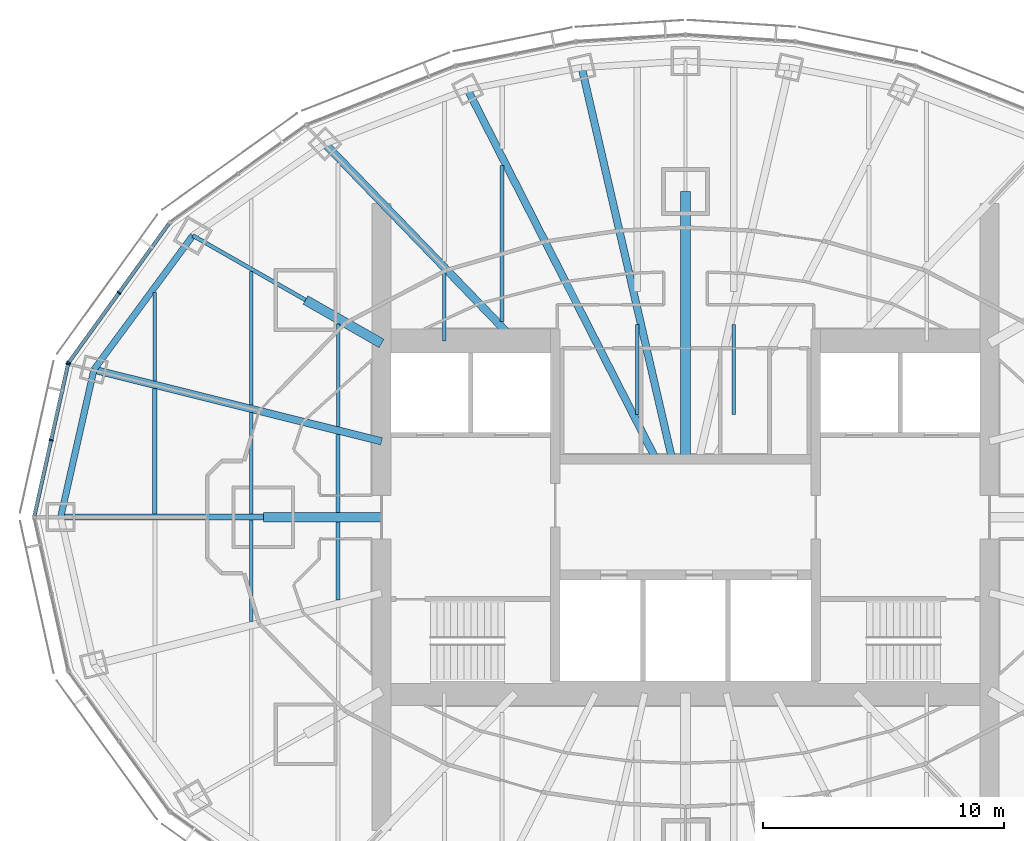
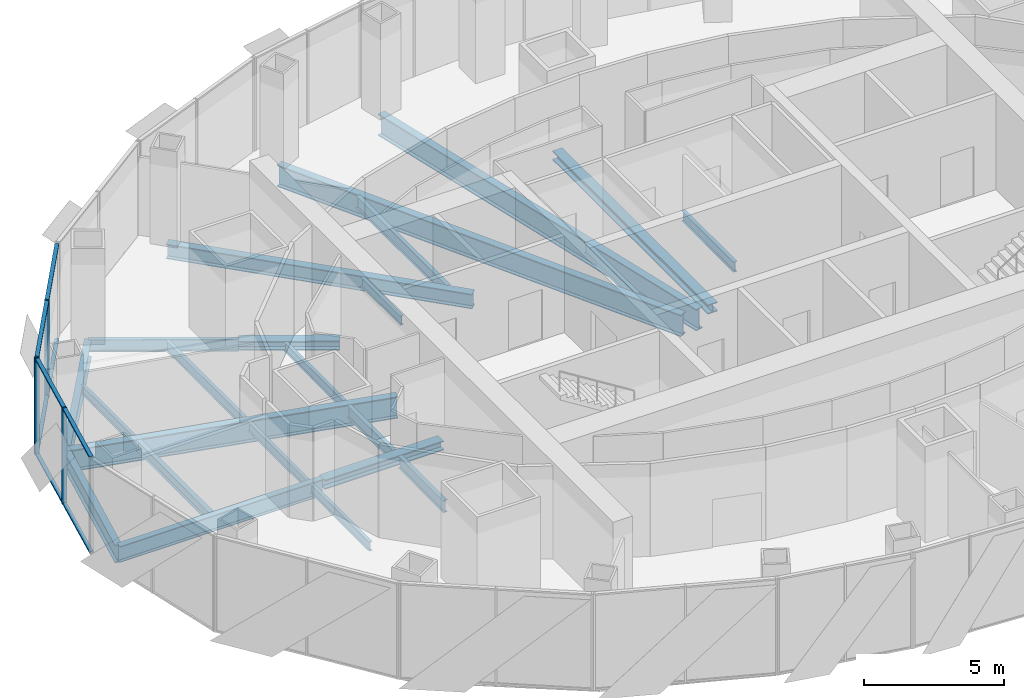
# One storey, part 4 of 17: 23 beams, 12 members, 2 elements without a shape of their own.
"""IFC4 building model written with IfcOpenShell, lengths in metres."""

from ifc_helpers import new_model, si_unit, direction, frame, origin, origin_2d, place, context, subcontext, project, spatial, rectangle, i_section, extrude, material, material_profile, profile_set, type_object, element, aggregate, save


model = new_model("IFC4")

# Units and contexts
model_context = context("Model", 3, precision=1e-05, world=origin(), true_north=direction((0.0, 1.0)))
body_context = subcontext(model_context, "Body", "Model", "MODEL_VIEW")
ifc_project = project(units=[si_unit("LENGTHUNIT", "METRE"), si_unit("AREAUNIT", "SQUARE_METRE"), si_unit("VOLUMEUNIT", "CUBIC_METRE"), si_unit("PLANEANGLEUNIT", "RADIAN"), si_unit("MASSUNIT", "GRAM", prefix="KILO")], contexts=[model_context])

# Site, building, storey
site_placement = place(None, origin())
site = spatial("IfcSite", under=ifc_project, at=site_placement, CompositionType="ELEMENT")
building_placement = place(site_placement, origin())
building = spatial("IfcBuilding", under=site, at=building_placement, Name="Lantaw Convention Tower", CompositionType="ELEMENT")
storey_placement = place(building_placement, frame((0.0, 0.0, 220.0)))
storey = spatial("IfcBuildingStorey", under=building, at=storey_placement, Name="L51", CompositionType="ELEMENT", Elevation=220.0)

# Beams
ifc_material_1 = material(Name="Steel ASTM A992", Category="steel")
ifc_material_profile_1 = material_profile(ifc_material_1, i_section(OverallWidth=0.2666015625, OverallDepth=0.76953125, WebThickness=0.015625, FlangeThickness=0.025390625, FilletRadius=0.0126953125, at=origin_2d()), Name="W30X132")
ifc_profile_set_1 = profile_set([ifc_material_profile_1], Name="Steel ASTM A992")
beam_type_1 = type_object("IfcBeamType", Name="Beam E W30X132", PredefinedType="SPANDREL", material=ifc_profile_set_1)
beam_1_placement = place(storey_placement, frame((-20.423095703125, 11.67041015625, -0.534912109375), z_axis=(-0.593639188853, -0.804731329984, 0.0), x_axis=(0.804731329984, -0.593639188853, 0.0)))
element("IfcBeam", 1, at=beam_1_placement, inside=storey, type_object=beam_type_1, Name="Edge beam 11", PredefinedType="SPANDREL", context=body_context, shape_type="SweptSolid", body=[
    extrude(i_section(OverallWidth=0.2666015625, OverallDepth=0.76953125, WebThickness=0.015625, FlangeThickness=0.025390625, FilletRadius=0.0126953125, at=origin_2d()), origin(), (0.0, 0.0, 1.0), 6.904541015625),
])
beam_2_placement = place(storey_placement, frame((-24.52197265625, 6.114013671875, -0.534912109375), z_axis=(-0.219857926596, -0.97553190215, 0.0), x_axis=(0.97553190215, -0.219857926596, 0.0)))
element("IfcBeam", 2, at=beam_2_placement, inside=storey, type_object=beam_type_1, Name="Edge beam 12", PredefinedType="SPANDREL", context=body_context, shape_type="SweptSolid", body=[
    extrude(i_section(OverallWidth=0.2666015625, OverallDepth=0.76953125, WebThickness=0.015625, FlangeThickness=0.025390625, FilletRadius=0.0126953125, at=origin_2d()), origin(), (0.0, 0.0, 1.0), 6.267333984375),
])
ifc_material_profile_2 = material_profile(ifc_material_1, i_section(OverallWidth=0.1650390625, OverallDepth=0.52587890625, WebThickness=0.0087890625, FlangeThickness=0.011474609375, FilletRadius=0.0126953125, at=origin_2d()), Name="W21X44")
ifc_profile_set_2 = profile_set([ifc_material_profile_2], Name="Steel ASTM A992")
beam_type_2 = type_object("IfcBeamType", Name="Beam G W21X44", PredefinedType="BEAM", material=ifc_profile_set_2)
beam_3_placement = place(storey_placement, frame((-15.75, 9.0, -0.412841796875), z_axis=(-0.868237559289, 0.496148708192, 0.0), x_axis=(-0.496148708192, -0.868237559289, 0.0)))
element("IfcBeam", 3, at=beam_3_placement, inside=storey, type_object=beam_type_2, Name="Floor girder on ray 11", PredefinedType="BEAM", context=body_context, shape_type="SweptSolid", body=[
    extrude(i_section(OverallWidth=0.1650390625, OverallDepth=0.52587890625, WebThickness=0.0087890625, FlangeThickness=0.011474609375, FilletRadius=0.0126953125, at=origin_2d()), origin(), (0.0, 0.0, 1.0), 5.38232421875),
])
ifc_material_profile_3 = material_profile(ifc_material_1, i_section(OverallWidth=0.32763671875, OverallDepth=0.64013671875, WebThickness=0.01904296875, FlangeThickness=0.033935546875, FilletRadius=0.0126953125, at=origin_2d()), Name="W24X176")
ifc_profile_set_3 = profile_set([ifc_material_profile_3], Name="Steel ASTM A992")
beam_type_3 = type_object("IfcBeamType", Name="Beam G W24X176", PredefinedType="BEAM", material=ifc_profile_set_3)
beam_4_placement = place(storey_placement, frame((-7.049560546875, 7.300048828125, -0.469970703125), z_axis=(-0.694657766726, 0.719340383356, 0.0), x_axis=(-0.719340383356, -0.694657766726, 0.0)))
element("IfcBeam", 4, at=beam_4_placement, inside=storey, type_object=beam_type_3, Name="Floor girder on ray 10", PredefinedType="BEAM", context=body_context, shape_type="SweptSolid", body=[
    extrude(i_section(OverallWidth=0.32763671875, OverallDepth=0.64013671875, WebThickness=0.01904296875, FlangeThickness=0.033935546875, FilletRadius=0.0126953125, at=origin_2d()), origin(), (0.0, 0.0, 1.0), 11.364990234375),
])
ifc_material_profile_4 = material_profile(ifc_material_1, i_section(OverallWidth=0.25390625, OverallDepth=0.700927734375, WebThickness=0.015380859375, FlangeThickness=0.02783203125, FilletRadius=0.01513671875, at=origin_2d()), Name="W27X129")
ifc_profile_set_4 = profile_set([ifc_material_profile_4], Name="Steel ASTM A992")
beam_type_4 = type_object("IfcBeamType", Name="Beam G W27X129", PredefinedType="BEAM", material=ifc_profile_set_4)
beam_5_placement = place(storey_placement, frame((-17.5, 0.0, -0.50048828125), z_axis=(-1.0, 0.0, 0.0), x_axis=(0.0, -1.0, 0.0)))
element("IfcBeam", 5, at=beam_5_placement, inside=storey, type_object=beam_type_4, Name="Floor girder on ray 13", PredefinedType="BEAM", context=body_context, shape_type="SweptSolid", body=[
    extrude(i_section(OverallWidth=0.25390625, OverallDepth=0.700927734375, WebThickness=0.015380859375, FlangeThickness=0.02783203125, FilletRadius=0.01513671875, at=origin_2d()), origin(), (0.0, 0.0, 1.0), 8.39990234375),
])
ifc_material_profile_5 = material_profile(ifc_material_1, i_section(OverallWidth=0.307373046875, OverallDepth=0.9423828125, WebThickness=0.022216796875, FlangeThickness=0.039794921875, FilletRadius=0.0126953125, at=origin_2d()), Name="W36X232")
ifc_profile_set_5 = profile_set([ifc_material_profile_5], Name="Steel ASTM A992")
beam_type_5 = type_object("IfcBeamType", Name="Beam G W36X232", PredefinedType="BEAM", material=ifc_profile_set_5)
beam_6_placement = place(storey_placement, frame((-0.55419921875, 2.39990234375, -0.62109375), z_axis=(-0.224948287002, 0.974370703672, 0.0), x_axis=(-0.974370703672, -0.224948287002, 0.0)))
element("IfcBeam", 6, at=beam_6_placement, inside=storey, type_object=beam_type_5, Name="Floor girder on ray 8", PredefinedType="BEAM", context=body_context, shape_type="SweptSolid", body=[
    extrude(i_section(OverallWidth=0.307373046875, OverallDepth=0.9423828125, WebThickness=0.022216796875, FlangeThickness=0.039794921875, FilletRadius=0.0126953125, at=origin_2d()), origin(), (0.0, 0.0, 1.0), 16.66943359375),
])
beam_7_placement = place(storey_placement, frame((-1.222900390625, 2.39990234375, -0.62109375), z_axis=(-0.453988481463, 0.891007552549, 0.0), x_axis=(-0.891007552549, -0.453988481463, 0.0)))
element("IfcBeam", 7, at=beam_7_placement, inside=storey, type_object=beam_type_5, Name="Floor girder on ray 9", PredefinedType="BEAM", context=body_context, shape_type="SweptSolid", body=[
    extrude(i_section(OverallWidth=0.307373046875, OverallDepth=0.9423828125, WebThickness=0.022216796875, FlangeThickness=0.039794921875, FilletRadius=0.0126953125, at=origin_2d()), origin(), (0.0, 0.0, 1.0), 17.20703125),
])
beam_8_placement = place(storey_placement, frame((-12.60009765625, 3.1416015625, -0.62109375), z_axis=(-0.970296589314, 0.241918434119, 0.0), x_axis=(-0.241918434119, -0.970296589314, 0.0)))
element("IfcBeam", 8, at=beam_8_placement, inside=storey, type_object=beam_type_5, Name="Floor girder on ray 12", PredefinedType="BEAM", context=body_context, shape_type="SweptSolid", body=[
    extrude(i_section(OverallWidth=0.307373046875, OverallDepth=0.9423828125, WebThickness=0.022216796875, FlangeThickness=0.039794921875, FilletRadius=0.0126953125, at=origin_2d()), origin(), (0.0, 0.0, 1.0), 12.286865234375),
])
ifc_material_profile_6 = material_profile(ifc_material_1, i_section(OverallWidth=0.40380859375, OverallDepth=0.406494140625, WebThickness=0.027099609375, FlangeThickness=0.043701171875, FilletRadius=0.01513671875, at=origin_2d()), Name="W14X233")
ifc_profile_set_6 = profile_set([ifc_material_profile_6], Name="Steel ASTM A992")
beam_type_6 = type_object("IfcBeamType", Name="Beam GM W14X233", PredefinedType="BEAM", material=ifc_profile_set_6)
beam_9_placement = place(storey_placement, frame((0.0, 2.39990234375, -0.353271484375), z_axis=(0.0, 1.0, 0.0), x_axis=(-1.0, 0.0, 0.0)))
element("IfcBeam", 9, at=beam_9_placement, inside=storey, type_object=beam_type_6, Name="Core link beam on ray 7", PredefinedType="BEAM", context=body_context, shape_type="SweptSolid", body=[
    extrude(i_section(OverallWidth=0.40380859375, OverallDepth=0.406494140625, WebThickness=0.027099609375, FlangeThickness=0.043701171875, FilletRadius=0.01513671875, at=origin_2d()), origin(), (0.0, 0.0, 1.0), 11.10009765625),
])
beam_10_placement = place(storey_placement, frame((-12.60009765625, 7.199951171875, -0.353271484375), z_axis=(-0.868230718294, 0.496160679428, 0.0), x_axis=(-0.496160679428, -0.868230718294, 0.0)))
element("IfcBeam", 10, at=beam_10_placement, inside=storey, type_object=beam_type_6, Name="Core link beam on ray 11", PredefinedType="BEAM", context=body_context, shape_type="SweptSolid", body=[
    extrude(i_section(OverallWidth=0.40380859375, OverallDepth=0.406494140625, WebThickness=0.027099609375, FlangeThickness=0.043701171875, FilletRadius=0.01513671875, at=origin_2d()), origin(), (0.0, 0.0, 1.0), 3.6279296875),
])
beam_11_placement = place(storey_placement, frame((-12.60009765625, 0.0, -0.353271484375), z_axis=(-1.0, 0.0, 0.0), x_axis=(0.0, -1.0, 0.0)))
element("IfcBeam", 11, at=beam_11_placement, inside=storey, type_object=beam_type_6, Name="Core link beam on ray 13", PredefinedType="BEAM", context=body_context, shape_type="SweptSolid", body=[
    extrude(i_section(OverallWidth=0.40380859375, OverallDepth=0.406494140625, WebThickness=0.027099609375, FlangeThickness=0.043701171875, FilletRadius=0.01513671875, at=origin_2d()), origin(), (0.0, 0.0, 1.0), 4.89990234375),
])
ifc_material_profile_7 = material_profile(ifc_material_1, i_section(OverallWidth=0.140380859375, OverallDepth=0.40380859375, WebThickness=0.007080078125, FlangeThickness=0.01123046875, FilletRadius=0.01025390625, at=origin_2d()), Name="W16X31")
ifc_profile_set_7 = profile_set([ifc_material_profile_7], Name="Steel ASTM A992")
beam_type_7 = type_object("IfcBeamType", Name="Beam J W16X31", PredefinedType="JOIST", material=ifc_profile_set_7)
beam_12_placement = place(storey_placement, frame((-22.0, 5.6435546875, -0.35205078125), z_axis=(0.0, 1.0, 0.0), x_axis=(-1.0, 0.0, 0.0)))
element("IfcBeam", 12, at=beam_12_placement, inside=storey, type_object=beam_type_7, Name="Floor joist", PredefinedType="JOIST", context=body_context, shape_type="SweptSolid", body=[
    extrude(i_section(OverallWidth=0.140380859375, OverallDepth=0.40380859375, WebThickness=0.007080078125, FlangeThickness=0.01123046875, FilletRadius=0.01025390625, at=origin_2d()), origin(), (0.0, 0.0, 1.0), 3.66455078125),
])
for number, where, z_axis, x_axis, name in (
    (13, (-18.0, -4.32958984375, -0.35205078125), (0.0, 1.0, 0.0), (-1.0, 0.0, 0.0), "Floor joist"),
    (14, (-18.0, 0.126953125, -0.35205078125), (0.0, 1.0, 0.0), (-1.0, 0.0, 0.0), "Floor joist"),
):
    element("IfcBeam", number, at=place(storey_placement, frame(where, z_axis=z_axis, x_axis=x_axis)), inside=storey, type_object=beam_type_7, Name=name, PredefinedType="JOIST", context=body_context, shape_type="SweptSolid", body=[
        extrude(i_section(OverallWidth=0.140380859375, OverallDepth=0.40380859375, WebThickness=0.007080078125, FlangeThickness=0.01123046875, FilletRadius=0.01025390625, at=origin_2d()), origin(), (0.0, 0.0, 1.0), 4.20263671875),
    ])
beam_13_placement = place(storey_placement, frame((-14.39990234375, 3.748779296875, -0.35205078125), z_axis=(0.0, 1.0, 0.0), x_axis=(-1.0, 0.0, 0.0)))
element("IfcBeam", 15, at=beam_13_placement, inside=storey, type_object=beam_type_7, Name="Floor joist", PredefinedType="JOIST", context=body_context, shape_type="SweptSolid", body=[
    extrude(i_section(OverallWidth=0.140380859375, OverallDepth=0.40380859375, WebThickness=0.007080078125, FlangeThickness=0.01123046875, FilletRadius=0.01025390625, at=origin_2d()), origin(), (0.0, 0.0, 1.0), 4.247314453125),
])
beam_14_placement = place(storey_placement, frame((-10.0, 7.300048828125, -0.35205078125), z_axis=(0.0, 1.0, 0.0), x_axis=(-1.0, 0.0, 0.0)))
element("IfcBeam", 16, at=beam_14_placement, inside=storey, type_object=beam_type_7, Name="Floor joist", PredefinedType="JOIST", context=body_context, shape_type="SweptSolid", body=[
    extrude(i_section(OverallWidth=0.140380859375, OverallDepth=0.40380859375, WebThickness=0.007080078125, FlangeThickness=0.01123046875, FilletRadius=0.01025390625, at=origin_2d()), origin(), (0.0, 0.0, 1.0), 2.8193359375),
])
ifc_material_profile_8 = material_profile(ifc_material_1, i_section(OverallWidth=0.15234375, OverallDepth=0.449462890625, WebThickness=0.007568359375, FlangeThickness=0.0107421875, FilletRadius=0.01025390625, at=origin_2d()), Name="W18X35")
ifc_profile_set_8 = profile_set([ifc_material_profile_8], Name="Steel ASTM A992")
beam_type_8 = type_object("IfcBeamType", Name="Beam J W18X35", PredefinedType="JOIST", material=ifc_profile_set_8)
beam_15_placement = place(storey_placement, frame((-18.0, 4.646240234375, -0.374755859375), z_axis=(0.0, 1.0, 0.0), x_axis=(-1.0, 0.0, 0.0)))
element("IfcBeam", 17, at=beam_15_placement, inside=storey, type_object=beam_type_8, Name="Floor joist", PredefinedType="JOIST", context=body_context, shape_type="SweptSolid", body=[
    extrude(i_section(OverallWidth=0.15234375, OverallDepth=0.449462890625, WebThickness=0.007568359375, FlangeThickness=0.0107421875, FilletRadius=0.01025390625, at=origin_2d()), origin(), (0.0, 0.0, 1.0), 5.54443359375),
])
for number, where, z_axis, x_axis, name in (
    (18, (-2.0, 4.263671875, -0.374755859375), (0.0, 1.0, 0.0), (-1.0, 0.0, 0.0), "Floor joist"),
    (19, (2.0, 4.263671875, -0.374755859375), (0.0, 1.0, 0.0), (-1.0, 0.0, 0.0), "Floor joist"),
):
    element("IfcBeam", number, at=place(storey_placement, frame(where, z_axis=z_axis, x_axis=x_axis)), inside=storey, type_object=beam_type_8, Name=name, PredefinedType="JOIST", context=body_context, shape_type="SweptSolid", body=[
        extrude(i_section(OverallWidth=0.15234375, OverallDepth=0.449462890625, WebThickness=0.007568359375, FlangeThickness=0.0107421875, FilletRadius=0.01025390625, at=origin_2d()), origin(), (0.0, 0.0, 1.0), 3.716064453125),
    ])
ifc_material_profile_9 = material_profile(ifc_material_1, i_section(OverallWidth=0.1904296875, OverallDepth=0.457275390625, WebThickness=0.009033203125, FlangeThickness=0.014404296875, FilletRadius=0.01025390625, at=origin_2d()), Name="W18X50")
ifc_profile_set_9 = profile_set([ifc_material_profile_9], Name="Steel ASTM A992")
beam_type_9 = type_object("IfcBeamType", Name="Beam J W18X50", PredefinedType="JOIST", material=ifc_profile_set_9)
beam_16_placement = place(storey_placement, frame((-22.0, 0.126953125, -0.378662109375), z_axis=(0.0, 1.0, 0.0), x_axis=(-1.0, 0.0, 0.0)))
element("IfcBeam", 20, at=beam_16_placement, inside=storey, type_object=beam_type_9, Name="Floor joist", PredefinedType="JOIST", context=body_context, shape_type="SweptSolid", body=[
    extrude(i_section(OverallWidth=0.1904296875, OverallDepth=0.457275390625, WebThickness=0.009033203125, FlangeThickness=0.014404296875, FilletRadius=0.01025390625, at=origin_2d()), origin(), (0.0, 0.0, 1.0), 5.199951171875),
])
ifc_material_profile_10 = material_profile(ifc_material_1, i_section(OverallWidth=0.1650390625, OverallDepth=0.52587890625, WebThickness=0.0087890625, FlangeThickness=0.011474609375, FilletRadius=0.0126953125, at=origin_2d()), Name="W21X44")
ifc_profile_set_10 = profile_set([ifc_material_profile_10], Name="Steel ASTM A992")
beam_type_10 = type_object("IfcBeamType", Name="Beam J W21X44", PredefinedType="JOIST", material=ifc_profile_set_10)
for number, where, z_axis, x_axis, name in (
    (21, (-14.39990234375, -3.431884765625, -0.412841796875), (0.0, 1.0, 0.0), (-1.0, 0.0, 0.0), "Floor joist"),
    (22, (-14.39990234375, 0.201904296875, -0.412841796875), (0.0, 1.0, 0.0), (-1.0, 0.0, 0.0), "Floor joist"),
):
    element("IfcBeam", number, at=place(storey_placement, frame(where, z_axis=z_axis, x_axis=x_axis)), inside=storey, type_object=beam_type_10, Name=name, PredefinedType="JOIST", context=body_context, shape_type="SweptSolid", body=[
        extrude(i_section(OverallWidth=0.1650390625, OverallDepth=0.52587890625, WebThickness=0.0087890625, FlangeThickness=0.011474609375, FilletRadius=0.0126953125, at=origin_2d()), origin(), (0.0, 0.0, 1.0), 3.22998046875),
    ])
beam_17_placement = place(storey_placement, frame((-7.60009765625, 8.10595703125, -0.412841796875), z_axis=(0.0, 1.0, 0.0), x_axis=(-1.0, 0.0, 0.0)))
element("IfcBeam", 23, at=beam_17_placement, inside=storey, type_object=beam_type_10, Name="Floor joist", PredefinedType="JOIST", context=body_context, shape_type="SweptSolid", body=[
    extrude(i_section(OverallWidth=0.1650390625, OverallDepth=0.52587890625, WebThickness=0.0087890625, FlangeThickness=0.011474609375, FilletRadius=0.0126953125, at=origin_2d()), origin(), (0.0, 0.0, 1.0), 6.471435546875),
])

# Curtain wall, members
ifc_material_2 = material(Name="Aluminium framed curtain wall", Category="aluminium")
curtain_wall_type = type_object("IfcCurtainWallType", Name="Office curtain wall high rise, pale aluminium", PredefinedType="USERDEFINED", material=ifc_material_2)
curtain_wall_1_placement = place(storey_placement, origin())
curtain_wall_1 = element("IfcCurtainWall", 24, at=curtain_wall_1_placement, inside=storey, type_object=curtain_wall_type, Name="Office curtain wall high rise, pale aluminium L51", ObjectType="UNITISED CURTAIN WALL", PredefinedType="USERDEFINED")
ifc_material_3 = material(Name="Aluminium 6063-T6", Category="aluminium")
ifc_material_profile_11 = material_profile(ifc_material_3, rectangle(XDim=0.179931640625, YDim=0.06494140625, at=origin_2d()), Name="CW-O2 mullion 65x180")
ifc_profile_set_11 = profile_set([ifc_material_profile_11], Name="Aluminium 6063-T6")
member_type_1 = type_object("IfcMemberType", Name="CW-O2 mullion 65x180", PredefinedType="MULLION", material=ifc_profile_set_11)
member_1_placement = place(storey_placement, frame((-23.483642578125, 9.298095703125, -0.14990234375), z_axis=(0.0, 0.0, 1.0), x_axis=(0.810919559405, -0.585157643865, 0.0)))
member_1 = element("IfcMember", 25, at=member_1_placement, type_object=member_type_1, Name="CW-O2 mullion 2", PredefinedType="MULLION", context=body_context, shape_type="SweptSolid", body=[
    extrude(rectangle(XDim=0.179931640625, YDim=0.06494140625, at=origin_2d()), origin(), (0.0, 0.0, 1.0), 4.199951171875),
])
member_2_placement = place(storey_placement, frame((-25.5703125, 6.406494140625, -0.14990234375), z_axis=(0.0, 0.0, 1.0), x_axis=(0.810919559405, -0.585157643865, 0.0)))
member_2 = element("IfcMember", 26, at=member_2_placement, type_object=member_type_1, Name="CW-O2 mullion 3", PredefinedType="MULLION", context=body_context, shape_type="SweptSolid", body=[
    extrude(rectangle(XDim=0.179931640625, YDim=0.06494140625, at=origin_2d()), origin(), (0.0, 0.0, 1.0), 4.199951171875),
])

curtain_wall_2_placement = place(storey_placement, origin())
curtain_wall_2 = element("IfcCurtainWall", 27, at=curtain_wall_2_placement, inside=storey, type_object=curtain_wall_type, Name="Office curtain wall high rise, pale aluminium L51", ObjectType="UNITISED CURTAIN WALL", PredefinedType="USERDEFINED")
member_3_placement = place(storey_placement, frame((-25.596435546875, 6.348388671875, -0.14990234375), z_axis=(0.0, 0.0, 1.0), x_axis=(0.976417396437, -0.215891333626, 0.0)))
member_3 = element("IfcMember", 28, at=member_3_placement, type_object=member_type_1, Name="CW-O2 mullion 1", PredefinedType="MULLION", context=body_context, shape_type="SweptSolid", body=[
    extrude(rectangle(XDim=0.179931640625, YDim=0.06494140625, at=origin_2d()), origin(), (0.0, 0.0, 1.0), 4.199951171875),
])
member_4_placement = place(storey_placement, frame((-26.294677734375, 3.190185546875, -0.14990234375), z_axis=(0.0, 0.0, 1.0), x_axis=(0.976417396437, -0.215891333626, 0.0)))
member_4 = element("IfcMember", 29, at=member_4_placement, type_object=member_type_1, Name="CW-O2 mullion 2", PredefinedType="MULLION", context=body_context, shape_type="SweptSolid", body=[
    extrude(rectangle(XDim=0.179931640625, YDim=0.06494140625, at=origin_2d()), origin(), (0.0, 0.0, 1.0), 4.199951171875),
])

# Member
ifc_material_profile_12 = material_profile(ifc_material_3, rectangle(XDim=0.14990234375, YDim=0.06494140625, at=origin_2d()), Name="CW-O2 transom 65x150")
ifc_profile_set_12 = profile_set([ifc_material_profile_12], Name="Aluminium 6063-T6")
member_type_2 = type_object("IfcMemberType", Name="CW-O2 transom 65x150", PredefinedType="USERDEFINED", material=ifc_profile_set_12)
member_5_placement = place(storey_placement, frame((-21.416259765625, 12.163330078125, -0.117431640625), z_axis=(-0.585123825205, -0.810943961798, 0.0), x_axis=(0.810943961798, -0.585123825205, 0.0)))
member_5 = element("IfcMember", 30, at=member_5_placement, type_object=member_type_2, Name="CW-O2 transom 1.1", ObjectType="TRANSOM", PredefinedType="USERDEFINED", context=body_context, shape_type="SweptSolid", body=[
    extrude(rectangle(XDim=0.14990234375, YDim=0.06494140625, at=origin_2d()), origin(), (0.0, 0.0, 1.0), 3.500732421875),
])

member_6_placement = place(storey_placement, frame((-21.416259765625, 12.163330078125, 4.017578125), z_axis=(-0.585123825205, -0.810943961798, 0.0), x_axis=(0.810943961798, -0.585123825205, 0.0)))
member_6 = element("IfcMember", 31, at=member_6_placement, type_object=member_type_2, Name="CW-O2 transom 1.2", ObjectType="TRANSOM", PredefinedType="USERDEFINED", context=body_context, shape_type="SweptSolid", body=[
    extrude(rectangle(XDim=0.14990234375, YDim=0.06494140625, at=origin_2d()), origin(), (0.0, 0.0, 1.0), 3.500732421875),
])

member_7_placement = place(storey_placement, frame((-23.502685546875, 9.271728515625, -0.117431640625), z_axis=(-0.585169685931, -0.810910869743, 0.0), x_axis=(0.810910869743, -0.585169685931, 0.0)))
member_7 = element("IfcMember", 32, at=member_7_placement, type_object=member_type_2, Name="CW-O2 transom 2.1", ObjectType="TRANSOM", PredefinedType="USERDEFINED", context=body_context, shape_type="SweptSolid", body=[
    extrude(rectangle(XDim=0.14990234375, YDim=0.06494140625, at=origin_2d()), origin(), (0.0, 0.0, 1.0), 3.500732421875),
])

member_8_placement = place(storey_placement, frame((-23.502685546875, 9.271728515625, 4.017578125), z_axis=(-0.585169685931, -0.810910869743, 0.0), x_axis=(0.810910869743, -0.585169685931, 0.0)))
member_8 = element("IfcMember", 33, at=member_8_placement, type_object=member_type_2, Name="CW-O2 transom 2.2", ObjectType="TRANSOM", PredefinedType="USERDEFINED", context=body_context, shape_type="SweptSolid", body=[
    extrude(rectangle(XDim=0.14990234375, YDim=0.06494140625, at=origin_2d()), origin(), (0.0, 0.0, 1.0), 3.500732421875),
])

aggregate(curtain_wall_1, [member_1, member_2, member_5, member_6, member_7, member_8])

member_9_placement = place(storey_placement, frame((-25.603271484375, 6.316650390625, -0.117431640625), z_axis=(-0.215894607042, -0.976416672661, 0.0), x_axis=(0.976416672661, -0.215894607042, 0.0)))
member_9 = element("IfcMember", 34, at=member_9_placement, type_object=member_type_2, Name="CW-O2 transom 1.1", ObjectType="TRANSOM", PredefinedType="USERDEFINED", context=body_context, shape_type="SweptSolid", body=[
    extrude(rectangle(XDim=0.14990234375, YDim=0.06494140625, at=origin_2d()), origin(), (0.0, 0.0, 1.0), 3.169677734375),
])

member_10_placement = place(storey_placement, frame((-25.603271484375, 6.316650390625, 4.017578125), z_axis=(-0.215894607042, -0.976416672661, 0.0), x_axis=(0.976416672661, -0.215894607042, 0.0)))
member_10 = element("IfcMember", 35, at=member_10_placement, type_object=member_type_2, Name="CW-O2 transom 1.2", ObjectType="TRANSOM", PredefinedType="USERDEFINED", context=body_context, shape_type="SweptSolid", body=[
    extrude(rectangle(XDim=0.14990234375, YDim=0.06494140625, at=origin_2d()), origin(), (0.0, 0.0, 1.0), 3.169677734375),
])

member_11_placement = place(storey_placement, frame((-26.3017578125, 3.158447265625, -0.117431640625), z_axis=(-0.215894607042, -0.976416672661, 0.0), x_axis=(0.976416672661, -0.215894607042, 0.0)))
member_11 = element("IfcMember", 36, at=member_11_placement, type_object=member_type_2, Name="CW-O2 transom 2.1", ObjectType="TRANSOM", PredefinedType="USERDEFINED", context=body_context, shape_type="SweptSolid", body=[
    extrude(rectangle(XDim=0.14990234375, YDim=0.06494140625, at=origin_2d()), origin(), (0.0, 0.0, 1.0), 3.169677734375),
])

member_12_placement = place(storey_placement, frame((-26.3017578125, 3.158447265625, 4.017578125), z_axis=(-0.215894607042, -0.976416672661, 0.0), x_axis=(0.976416672661, -0.215894607042, 0.0)))
member_12 = element("IfcMember", 37, at=member_12_placement, type_object=member_type_2, Name="CW-O2 transom 2.2", ObjectType="TRANSOM", PredefinedType="USERDEFINED", context=body_context, shape_type="SweptSolid", body=[
    extrude(rectangle(XDim=0.14990234375, YDim=0.06494140625, at=origin_2d()), origin(), (0.0, 0.0, 1.0), 3.169677734375),
])

aggregate(curtain_wall_2, [member_3, member_4, member_9, member_10, member_11, member_12])

save(model, "model.ifc")
